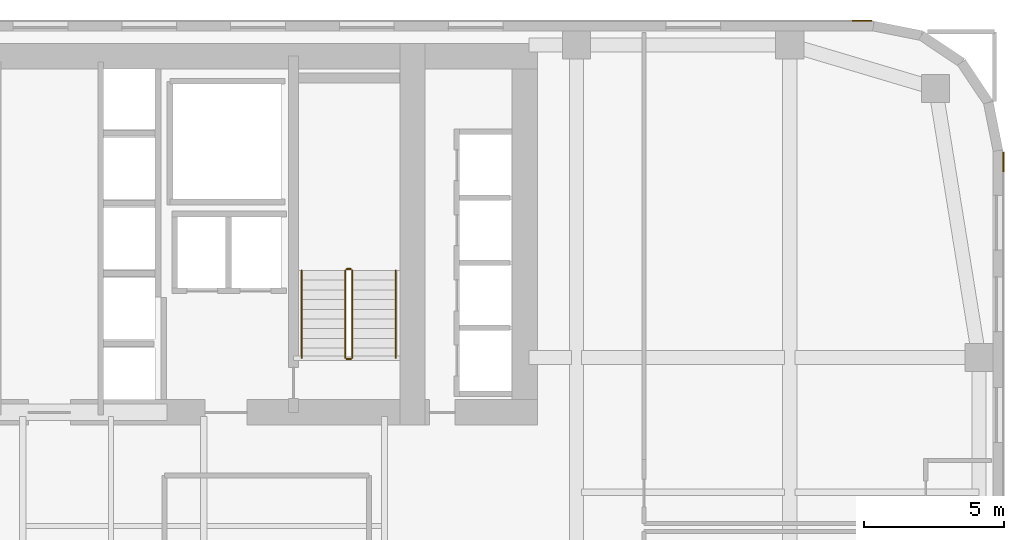
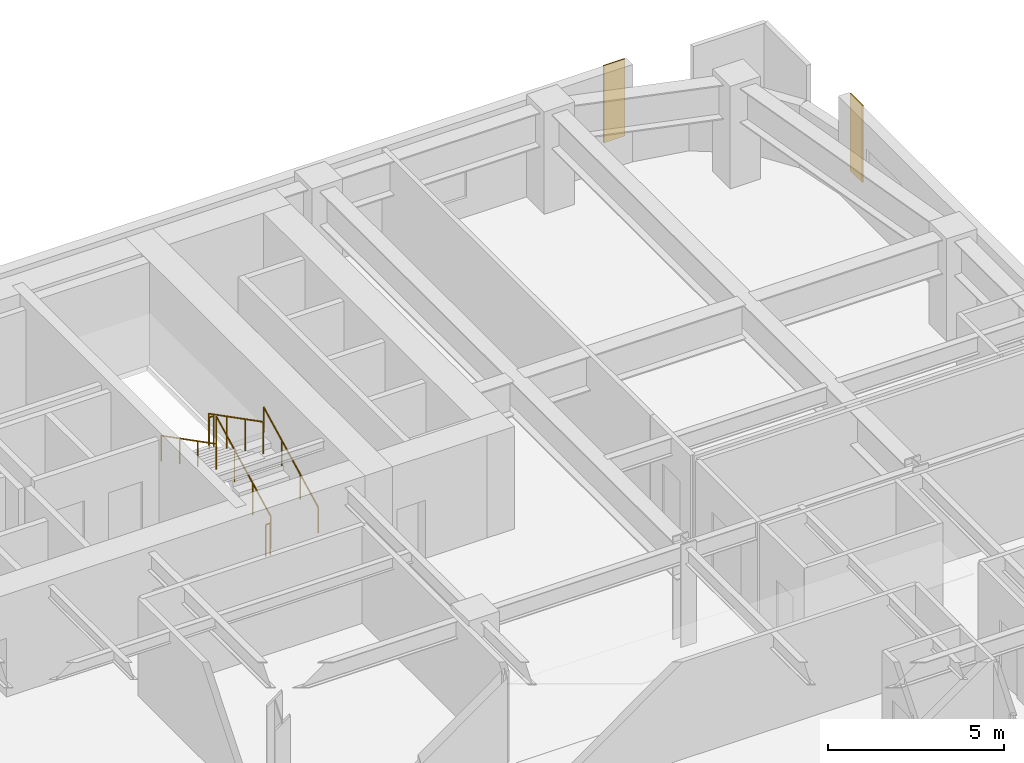
# One storey, part 25 of 25: 6 railings, 2 coverings.
"""IFC4 building model written with IfcOpenShell, lengths in metres."""

from ifc_helpers import new_model, si_unit, direction, frame, origin, origin_2d, place, context, subcontext, project, spatial, polyline, circle, outline, extrude, material, layer, layer_set, type_object, element, save


model = new_model("IFC4")

# Units and contexts
model_context = context("Model", 3, precision=1e-05, world=origin(), true_north=direction((0.0, 1.0)))
body_context = subcontext(model_context, "Body", "Model", "MODEL_VIEW")
ifc_project = project(units=[si_unit("LENGTHUNIT", "METRE"), si_unit("AREAUNIT", "SQUARE_METRE"), si_unit("VOLUMEUNIT", "CUBIC_METRE"), si_unit("PLANEANGLEUNIT", "RADIAN"), si_unit("MASSUNIT", "GRAM", prefix="KILO")], contexts=[model_context])

# Site, building, storey
site_placement = place(None, origin())
site = spatial("IfcSite", under=ifc_project, at=site_placement, CompositionType="ELEMENT")
building_placement = place(site_placement, origin())
building = spatial("IfcBuilding", under=site, at=building_placement, Name="Tolvann Quenvar Hotel", CompositionType="ELEMENT")
storey_placement = place(building_placement, frame((0.0, 0.0, 46.199951171875)))
storey = spatial("IfcBuildingStorey", under=building, at=storey_placement, Name="L10", CompositionType="ELEMENT", Elevation=46.199951171875)

# Coverings
ifc_material_1 = material(Name="Kiln-fired red architectural face brick cladding", Category="masonry")
ifc_layer = layer(ifc_material_1, 0.0400390625)
ifc_layer_set = layer_set([ifc_layer], Name="Kiln-fired red architectural face brick cladding")
covering_type = type_object("IfcCoveringType", Name="COV_CLAD_BRICK_40", PredefinedType="CLADDING", material=ifc_layer_set)
covering_1_placement = place(storey_placement, frame((0.0, 0.0, 0.699951171875)))
element("IfcCovering", 1, at=covering_1_placement, inside=storey, type_object=covering_type, Name="Brick Pier Cladding (L10-E13-P2)", PredefinedType="CLADDING", context=body_context, shape_type="SweptSolid", body=[
    extrude(outline(polyline([(57.0, 40.6328125), (57.0, 41.332763671875), (57.0400390625, 41.332763671875), (57.0400390625, 40.6328125), (57.0, 40.6328125)])), origin(), (0.0, 0.0, 1.0), 2.670166015625),
])
covering_2_placement = place(storey_placement, frame((0.0, 0.0, 0.699951171875)))
element("IfcCovering", 2, at=covering_2_placement, inside=storey, type_object=covering_type, Name="Brick Pier Cladding (L10-E18-P1)", PredefinedType="CLADDING", context=body_context, shape_type="SweptSolid", body=[
    extrude(outline(polyline([(52.332763671875, 46.0), (51.6328125, 46.0), (51.6328125, 46.0400390625), (52.332763671875, 46.0400390625), (52.332763671875, 46.0)])), origin(), (0.0, 0.0, 1.0), 2.670166015625),
])

# Railings
ifc_material_2 = material(Name="Brushed 316 stainless steel balustrade and handrail", Category="steel")
railing_type_1 = type_object("IfcRailingType", Name="GUARDRAIL", PredefinedType="GUARDRAIL", material=ifc_material_2)
railing_1_placement = place(storey_placement, frame((33.800048828125, 34.0, 0.177490234375)))
element("IfcRailing", 3, at=railing_1_placement, inside=storey, type_object=railing_type_1, Name="L10 ST-C2 stair guard 1", PredefinedType="GUARDRAIL", context=body_context, shape_type="SweptSolid", body=[
    extrude(circle(Radius=0.02392578125, at=origin_2d()), frame((0.0, 0.0, 1.09619140625), z_axis=(0.0, 0.88919353882, 0.457531256332), x_axis=(-1.0, 0.0, 0.0)), (0.0, 0.0, 1.0), 3.491943359375),
    extrude(circle(Radius=0.02099609375, at=origin_2d()), origin(), (0.0, 0.0, 1.0), 1.072021484375),
    extrude(circle(Radius=0.02099609375, at=origin_2d()), frame((0.0, 1.034912109375, 0.532470703125)), (0.0, 0.0, 1.0), 1.072021484375),
    extrude(circle(Radius=0.02099609375, at=origin_2d()), frame((0.0, 2.070068359375, 1.065185546875)), (0.0, 0.0, 1.0), 1.072021484375),
    extrude(circle(Radius=0.02099609375, at=origin_2d()), frame((0.0, 3.10498046875, 1.59765625)), (0.0, 0.0, 1.0), 1.072021484375),
])
railing_2_placement = place(storey_placement, frame((33.75, 37.155029296875, 1.775146484375)))
element("IfcRailing", 4, at=railing_2_placement, inside=storey, type_object=railing_type_1, Name="L10 ST-C2 stair guard 2", PredefinedType="GUARDRAIL", context=body_context, shape_type="SweptSolid", body=[
    extrude(circle(Radius=0.02392578125, at=origin_2d()), frame((0.0, 0.0, 1.09619140625), z_axis=(-1.0, 0.0, 0.0), x_axis=(0.0, -1.0, 0.0)), (0.0, 0.0, 1.0), 0.14990234375),
    extrude(circle(Radius=0.02099609375, at=origin_2d()), origin(), (0.0, 0.0, 1.0), 1.072021484375),
    extrude(circle(Radius=0.02099609375, at=origin_2d()), frame((-0.14990234375, 0.0, 0.0)), (0.0, 0.0, 1.0), 1.072021484375),
])
railing_3_placement = place(storey_placement, frame((33.550048828125, 37.10498046875, 1.95263671875)))
element("IfcRailing", 5, at=railing_3_placement, inside=storey, type_object=railing_type_1, Name="L10 ST-C2 stair guard 3", PredefinedType="GUARDRAIL", context=body_context, shape_type="SweptSolid", body=[
    extrude(circle(Radius=0.02392578125, at=origin_2d()), frame((0.0, 0.0, 1.09619140625), z_axis=(0.0, -0.889221982265, 0.45747597342), x_axis=(1.0, 0.0, 0.0)), (0.0, 0.0, 1.0), 3.49169921875),
    extrude(circle(Radius=0.02099609375, at=origin_2d()), origin(), (0.0, 0.0, 1.0), 1.072021484375),
    extrude(circle(Radius=0.02099609375, at=origin_2d()), frame((0.0, -1.034912109375, 0.532470703125)), (0.0, 0.0, 1.0), 1.072021484375),
    extrude(circle(Radius=0.02099609375, at=origin_2d()), frame((0.0, -2.070068359375, 1.06494140625)), (0.0, 0.0, 1.0), 1.072021484375),
    extrude(circle(Radius=0.02099609375, at=origin_2d()), frame((0.0, -3.10498046875, 1.597412109375)), (0.0, 0.0, 1.0), 1.072021484375),
])
railing_4_placement = place(storey_placement, frame((33.75, 33.949951171875, 0.0)))
element("IfcRailing", 6, at=railing_4_placement, inside=storey, type_object=railing_type_1, Name="L10 ST-C2 stair guard 4", PredefinedType="GUARDRAIL", context=body_context, shape_type="SweptSolid", body=[
    extrude(circle(Radius=0.02392578125, at=origin_2d()), frame((0.0, 0.0, 1.09619140625), z_axis=(-1.0, 0.0, 0.0), x_axis=(0.0, -1.0, 0.0)), (0.0, 0.0, 1.0), 0.14990234375),
    extrude(circle(Radius=0.02099609375, at=origin_2d()), origin(), (0.0, 0.0, 1.0), 1.072021484375),
    extrude(circle(Radius=0.02099609375, at=origin_2d()), frame((-0.14990234375, 0.0, 0.0)), (0.0, 0.0, 1.0), 1.072021484375),
])
railing_type_2 = type_object("IfcRailingType", Name="HANDRAIL", PredefinedType="HANDRAIL", material=ifc_material_2)
railing_5_placement = place(storey_placement, frame((35.35009765625, 34.0, 0.177490234375)))
element("IfcRailing", 7, at=railing_5_placement, inside=storey, type_object=railing_type_2, Name="L10 ST-C2 stair handrail 1", PredefinedType="HANDRAIL", context=body_context, shape_type="SweptSolid", body=[
    extrude(circle(Radius=0.02392578125, at=origin_2d()), frame((0.0, 0.0, 0.8759765625), z_axis=(0.0, 0.88919353882, 0.457531256332), x_axis=(-1.0, 0.0, 0.0)), (0.0, 0.0, 1.0), 3.491943359375),
    extrude(circle(Radius=0.02099609375, at=origin_2d()), origin(), (0.0, 0.0, 1.0), 0.851806640625),
    extrude(circle(Radius=0.02099609375, at=origin_2d()), frame((0.0, 1.034912109375, 0.532470703125)), (0.0, 0.0, 1.0), 0.851806640625),
    extrude(circle(Radius=0.02099609375, at=origin_2d()), frame((0.0, 2.070068359375, 1.065185546875)), (0.0, 0.0, 1.0), 0.851806640625),
    extrude(circle(Radius=0.02099609375, at=origin_2d()), frame((0.0, 3.10498046875, 1.59765625)), (0.0, 0.0, 1.0), 0.851806640625),
])
railing_6_placement = place(storey_placement, frame((32.0, 37.10498046875, 1.95263671875)))
element("IfcRailing", 8, at=railing_6_placement, inside=storey, type_object=railing_type_2, Name="L10 ST-C2 stair handrail 2", PredefinedType="HANDRAIL", context=body_context, shape_type="SweptSolid", body=[
    extrude(circle(Radius=0.02392578125, at=origin_2d()), frame((0.0, 0.0, 0.8759765625), z_axis=(0.0, -0.889221982265, 0.45747597342), x_axis=(1.0, 0.0, 0.0)), (0.0, 0.0, 1.0), 3.49169921875),
    extrude(circle(Radius=0.02099609375, at=origin_2d()), origin(), (0.0, 0.0, 1.0), 0.851806640625),
    extrude(circle(Radius=0.02099609375, at=origin_2d()), frame((0.0, -1.034912109375, 0.532470703125)), (0.0, 0.0, 1.0), 0.851806640625),
    extrude(circle(Radius=0.02099609375, at=origin_2d()), frame((0.0, -2.070068359375, 1.06494140625)), (0.0, 0.0, 1.0), 0.851806640625),
    extrude(circle(Radius=0.02099609375, at=origin_2d()), frame((0.0, -3.10498046875, 1.597412109375)), (0.0, 0.0, 1.0), 0.851806640625),
])

save(model, "model.ifc")
